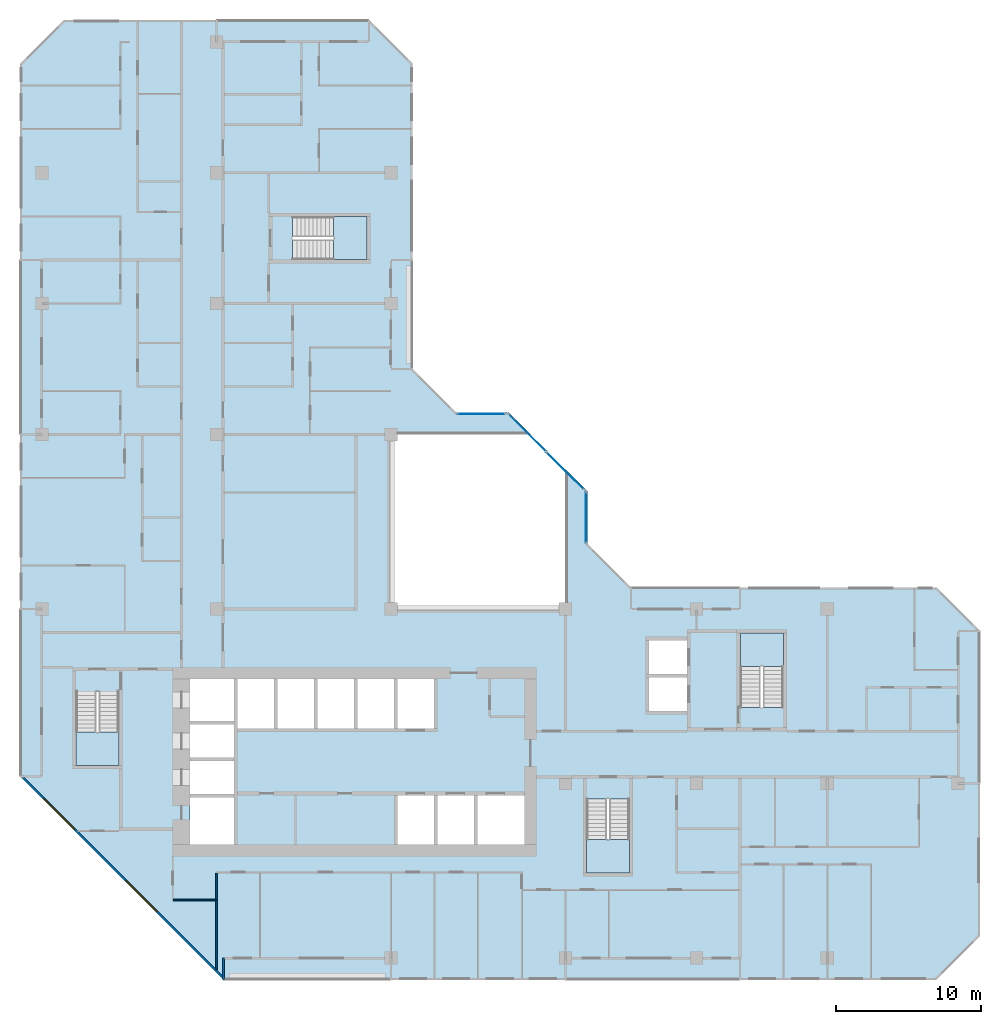
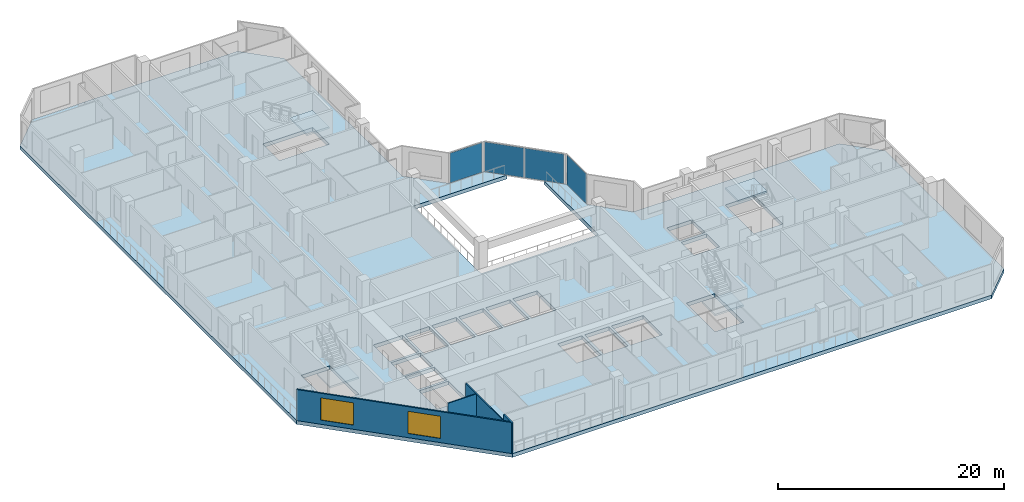
# One storey, part 3 of 15: 5 slabs, 4 plates, 4 walls, 2 windows, 2 openings, 7 elements without a shape of their own.
"""IFC4 building model written with IfcOpenShell, lengths in metres."""

from ifc_helpers import new_model, si_unit, direction, frame, frame_2d, origin, origin_2d, place, context, subcontext, project, spatial, polyline, rectangle, outline, extrude, material, layer, layer_set, type_object, element, fill, aggregate, save


model = new_model("IFC4")

# Units and contexts
model_context = context("Model", 3, precision=1e-05, world=origin(), true_north=direction((0.0, 1.0)))
body_context = subcontext(model_context, "Body", "Model", "MODEL_VIEW")
ifc_project = project(units=[si_unit("LENGTHUNIT", "METRE"), si_unit("AREAUNIT", "SQUARE_METRE"), si_unit("VOLUMEUNIT", "CUBIC_METRE"), si_unit("PLANEANGLEUNIT", "RADIAN"), si_unit("MASSUNIT", "GRAM", prefix="KILO")], contexts=[model_context])

# Site, building, storey
site_placement = place(None, origin())
site = spatial("IfcSite", under=ifc_project, at=site_placement, CompositionType="ELEMENT")
building_placement = place(site_placement, origin())
building = spatial("IfcBuilding", under=site, at=building_placement, Name="Chenar Terraces", CompositionType="ELEMENT")
storey_placement = place(building_placement, frame((0.0, 0.0, 198.64990234375)))
storey = spatial("IfcBuildingStorey", under=building, at=storey_placement, Name="L46", CompositionType="ELEMENT", Elevation=198.64990234375)

# Curtain wall, plate
ifc_material_1 = material(Name="Aluminium framed glazing", Category="aluminium")
ifc_layer_1 = layer(ifc_material_1, 0.14990234375)
ifc_layer_set_1 = layer_set([ifc_layer_1], Name="Aluminium framed glazing")
curtain_wall_type = type_object("IfcCurtainWallType", Name="Atrium mid-zone curtain wall", PredefinedType="NOTDEFINED", material=ifc_layer_set_1)
placement_1 = place(storey_placement, origin())
curtain_wall_1 = element("IfcCurtainWall", 1, at=placement_1, inside=storey, type_object=curtain_wall_type, Name="Atrium mid-zone curtain wall", PredefinedType="NOTDEFINED")
ifc_material_2 = material(Name="Low emissivity laminated glass, solar control coating", Category="glass")
ifc_layer_2 = layer(ifc_material_2, 0.031982421875)
ifc_layer_set_2 = layer_set([ifc_layer_2], Name="Low emissivity laminated glass, solar control coating")
plate_type = type_object("IfcPlateType", Name="Atrium mid-zone glazing panel 32", PredefinedType="CURTAIN_PANEL", material=ifc_layer_set_2)
plate_1_placement = place(storey_placement, frame((37.425048828125, 30.300048828125, 0.070068359375), z_axis=(0.0, 0.0, 1.0), x_axis=(0.0, 1.0, 0.0)))
plate_1 = element("IfcPlate", 2, at=plate_1_placement, type_object=plate_type, Name="CW7-1 panel 1.1", PredefinedType="CURTAIN_PANEL", context=body_context, shape_type="SweptSolid", body=[
    extrude(rectangle(XDim=3.4599609375, YDim=0.031982421875, at=origin_2d()), origin(), (0.0, 0.0, 1.0), 3.2099609375),
])
aggregate(curtain_wall_1, [plate_1])

# Curtain wall, plates
curtain_wall_2 = element("IfcCurtainWall", 3, at=placement_1, inside=storey, type_object=curtain_wall_type, Name="Atrium mid-zone curtain wall", PredefinedType="NOTDEFINED")
plate_2_placement = place(storey_placement, frame((35.978515625, 33.515380859375, 0.070068359375), z_axis=(0.0, 0.0, 1.0), x_axis=(-0.707106781187, 0.707106781187, 0.0)))
plate_2 = element("IfcPlate", 4, at=plate_2_placement, type_object=plate_type, Name="CW7-2 panel 1.1", PredefinedType="CURTAIN_PANEL", context=body_context, shape_type="SweptSolid", body=[
    extrude(rectangle(XDim=3.61328125, YDim=0.031982421875, at=origin_2d()), origin(), (0.0, 0.0, 1.0), 3.2099609375),
])
plate_3_placement = place(storey_placement, frame((33.3740234375, 36.119873046875, 0.070068359375), z_axis=(0.0, 0.0, 1.0), x_axis=(-0.707106781187, 0.707106781187, 0.0)))
plate_3 = element("IfcPlate", 5, at=plate_3_placement, type_object=plate_type, Name="CW7-2 panel 2.1", PredefinedType="CURTAIN_PANEL", context=body_context, shape_type="SweptSolid", body=[
    extrude(rectangle(XDim=3.61328125, YDim=0.031982421875, at=origin_2d()), origin(), (0.0, 0.0, 1.0), 3.2099609375),
])
aggregate(curtain_wall_2, [plate_2, plate_3])

# Curtain wall, plate
curtain_wall_3 = element("IfcCurtainWall", 6, at=placement_1, inside=storey, type_object=curtain_wall_type, Name="Atrium mid-zone curtain wall", PredefinedType="NOTDEFINED")
plate_4_placement = place(storey_placement, frame((30.199951171875, 37.425048828125, 0.070068359375), z_axis=(0.0, 0.0, 1.0), x_axis=(-1.0, 0.0, 0.0)))
plate_4 = element("IfcPlate", 7, at=plate_4_placement, type_object=plate_type, Name="CW7-3 panel 1.1", PredefinedType="CURTAIN_PANEL", context=body_context, shape_type="SweptSolid", body=[
    extrude(rectangle(XDim=3.260009765625, YDim=0.031982421875, at=origin_2d()), origin(), (0.0, 0.0, 1.0), 3.2099609375),
])
aggregate(curtain_wall_3, [plate_4])

# Stair, slab
ifc_material_3 = material(Name="Reinforced concrete C40/50", Category="concrete")
stair_type = type_object("IfcStairType", Name="Core stair 1400 half-turn", PredefinedType="HALF_TURN_STAIR", material=ifc_material_3)
stair_1 = element("IfcStair", 8, at=placement_1, inside=storey, type_object=stair_type, Name="L46 Stair 1", PredefinedType="HALF_TURN_STAIR")
ifc_material_4 = material(Name="Reinforced concrete C40/50", Category="concrete")
ifc_layer_3 = layer(ifc_material_4, 0.199951171875)
ifc_layer_set_3 = layer_set([ifc_layer_3], Name="Reinforced concrete C40/50")
slab_type_1 = type_object("IfcSlabType", Name="Core stair landing 200", PredefinedType="LANDING", material=ifc_layer_set_3)
placement_2 = place(storey_placement, frame((0.0, 0.0, 1.675048828125)))
slab_1 = element("IfcSlab", 9, at=placement_2, type_object=slab_type_1, Name="ST1 landing 1", PredefinedType="LANDING", context=body_context, shape_type="SweptSolid", body=[
    extrude(outline(polyline([(2.35009765625, 15.550048828125), (2.35009765625, 13.25), (5.300048828125, 13.25), (5.300048828125, 15.550048828125), (2.35009765625, 15.550048828125)])), origin(), (0.0, 0.0, 1.0), 0.199951171875),
])
aggregate(stair_1, [slab_1])

stair_2 = element("IfcStair", 10, at=placement_1, inside=storey, type_object=stair_type, Name="L46 Stair 2", PredefinedType="HALF_TURN_STAIR")
slab_2 = element("IfcSlab", 11, at=placement_2, type_object=slab_type_1, Name="ST2 landing 1", PredefinedType="LANDING", context=body_context, shape_type="SweptSolid", body=[
    extrude(outline(polyline([(37.449951171875, 8.14990234375), (37.449951171875, 5.85009765625), (40.39990234375, 5.85009765625), (40.39990234375, 8.14990234375), (37.449951171875, 8.14990234375)])), origin(), (0.0, 0.0, 1.0), 0.199951171875),
])
aggregate(stair_2, [slab_2])

stair_3 = element("IfcStair", 12, at=placement_1, inside=storey, type_object=stair_type, Name="L46 Stair 3", PredefinedType="HALF_TURN_STAIR")
slab_3 = element("IfcSlab", 13, at=placement_2, type_object=slab_type_1, Name="ST3 landing 1", PredefinedType="LANDING", context=body_context, shape_type="SweptSolid", body=[
    extrude(outline(polyline([(50.97509765625, 20.050048828125), (50.97509765625, 22.35009765625), (48.02490234375, 22.35009765625), (48.02490234375, 20.050048828125), (50.97509765625, 20.050048828125)])), origin(), (0.0, 0.0, 1.0), 0.199951171875),
])
aggregate(stair_3, [slab_3])

stair_4 = element("IfcStair", 14, at=placement_1, inside=storey, type_object=stair_type, Name="L46 Stair 4", PredefinedType="HALF_TURN_STAIR")
slab_4 = element("IfcSlab", 15, at=placement_2, type_object=slab_type_1, Name="ST4 landing 1", PredefinedType="LANDING", context=body_context, shape_type="SweptSolid", body=[
    extrude(outline(polyline([(20.050048828125, 48.02490234375), (22.35009765625, 48.02490234375), (22.35009765625, 50.97509765625), (20.050048828125, 50.97509765625), (20.050048828125, 48.02490234375)])), origin(), (0.0, 0.0, 1.0), 0.199951171875),
])
aggregate(stair_4, [slab_4])

# Slab
ifc_material_5 = material(Name="Concrete C40/50", Category="concrete")
ifc_layer_4 = layer(ifc_material_5, 0.39990234375)
ifc_layer_set_4 = layer_set([ifc_layer_4], Name="Concrete C40/50")
slab_type_2 = type_object("IfcSlabType", Name="Floor slab 400 Concrete C40/50", PredefinedType="FLOOR", material=ifc_layer_set_4)
slab_5_placement = place(storey_placement, frame((0.0, 0.0, -0.39990234375)))
element("IfcSlab", 16, at=slab_5_placement, inside=storey, type_object=slab_type_2, Name="Floor slab L46", PredefinedType="FLOOR", context=body_context, shape_type="SweptSolid", body=[
    extrude(outline(polyline([(64.5, 22.5), (64.5, 1.5), (61.5, -1.5), (12.5, -1.5), (-1.5, 12.5), (-1.5, 61.5), (1.5, 64.5), (22.5, 64.5), (25.5, 61.5), (25.5, 40.5), (28.5, 37.5), (32.10009765625, 37.5), (33.60009765625, 36.0), (24.0, 36.0), (24.0, 24.0), (36.0, 24.0), (36.0, 33.60009765625), (37.5, 32.10009765625), (37.5, 28.5), (40.5, 25.5), (61.5, 25.5), (64.5, 22.5)]), holes=[polyline([(13.199951171875, 11.050048828125), (10.199951171875, 11.050048828125), (10.199951171875, 7.800048828125), (13.199951171875, 7.800048828125), (13.199951171875, 11.050048828125)]), polyline([(13.199951171875, 13.550048828125), (10.199951171875, 13.550048828125), (10.199951171875, 11.300048828125), (13.199951171875, 11.300048828125), (13.199951171875, 13.550048828125)]), polyline([(13.199951171875, 16.050048828125), (10.199951171875, 16.050048828125), (10.199951171875, 13.800048828125), (13.199951171875, 13.800048828125), (13.199951171875, 16.050048828125)]), polyline([(2.35009765625, 13.25), (5.300048828125, 13.25), (5.300048828125, 18.35009765625), (2.35009765625, 18.35009765625), (2.35009765625, 13.25)]), polyline([(15.949951171875, 19.199951171875), (13.449951171875, 19.199951171875), (13.449951171875, 15.800048828125), (15.949951171875, 15.800048828125), (15.949951171875, 19.199951171875)]), polyline([(18.699951171875, 19.199951171875), (16.199951171875, 19.199951171875), (16.199951171875, 15.800048828125), (18.699951171875, 15.800048828125), (18.699951171875, 19.199951171875)]), polyline([(21.449951171875, 19.199951171875), (18.949951171875, 19.199951171875), (18.949951171875, 15.800048828125), (21.449951171875, 15.800048828125), (21.449951171875, 19.199951171875)]), polyline([(24.199951171875, 15.800048828125), (24.199951171875, 19.199951171875), (21.699951171875, 19.199951171875), (21.699951171875, 15.800048828125), (24.199951171875, 15.800048828125)]), polyline([(13.199951171875, 16.300048828125), (13.199951171875, 19.199951171875), (10.199951171875, 19.199951171875), (10.199951171875, 16.300048828125), (13.199951171875, 16.300048828125)]), polyline([(22.35009765625, 48.02490234375), (22.35009765625, 50.97509765625), (17.25, 50.97509765625), (17.25, 48.02490234375), (22.35009765625, 48.02490234375)]), polyline([(37.449951171875, 5.85009765625), (40.39990234375, 5.85009765625), (40.39990234375, 10.949951171875), (37.449951171875, 10.949951171875), (37.449951171875, 5.85009765625)]), polyline([(26.949951171875, 11.199951171875), (24.449951171875, 11.199951171875), (24.449951171875, 7.800048828125), (26.949951171875, 7.800048828125), (26.949951171875, 11.199951171875)]), polyline([(29.699951171875, 7.800048828125), (29.699951171875, 11.199951171875), (27.199951171875, 11.199951171875), (27.199951171875, 7.800048828125), (29.699951171875, 7.800048828125)]), polyline([(33.199951171875, 7.800048828125), (33.199951171875, 11.199951171875), (29.949951171875, 11.199951171875), (29.949951171875, 7.800048828125), (33.199951171875, 7.800048828125)]), polyline([(26.949951171875, 19.199951171875), (24.449951171875, 19.199951171875), (24.449951171875, 15.800048828125), (26.949951171875, 15.800048828125), (26.949951171875, 19.199951171875)]), polyline([(44.35009765625, 19.300048828125), (41.75, 19.300048828125), (41.75, 17.0), (44.35009765625, 17.0), (44.35009765625, 19.300048828125)]), polyline([(50.97509765625, 22.35009765625), (48.02490234375, 22.35009765625), (48.02490234375, 17.25), (50.97509765625, 17.25), (50.97509765625, 22.35009765625)]), polyline([(44.35009765625, 19.550048828125), (44.35009765625, 21.85009765625), (41.75, 21.85009765625), (41.75, 19.550048828125), (44.35009765625, 19.550048828125)])]), origin(), (0.0, 0.0, 1.0), 0.39990234375),
])

# Walls
ifc_material_6 = material(Name="Gypsum board on steel studs", Category="steel")
ifc_layer_5 = layer(ifc_material_6, 0.10009765625)
ifc_layer_set_5 = layer_set([ifc_layer_5], Name="Gypsum board on steel studs")
wall_type_1 = type_object("IfcWallType", Name="Gypsum partition 100", PredefinedType="PARTITIONING", material=ifc_layer_set_5)
wall_1_placement = place(storey_placement, frame((9.050048828125, 4.0, 0.0), z_axis=(0.0, 0.0, 1.0), x_axis=(1.0, 0.0, 0.0)))
element("IfcWall", 17, at=wall_1_placement, inside=storey, type_object=wall_type_1, Name="Partition L46-032", PredefinedType="PARTITIONING", context=body_context, shape_type="SweptSolid", body=[
    extrude(rectangle(XDim=2.89990234375, YDim=0.10009765625, at=frame_2d((1.449951171875, 0.0))), origin(), (0.0, 0.0, 1.0), 3.35009765625),
])
wall_2_placement = place(storey_placement, frame((12.0, -0.787841796875, 0.0), z_axis=(0.0, 0.0, 1.0), x_axis=(0.0, 1.0, 0.0)))
element("IfcWall", 18, at=wall_2_placement, inside=storey, type_object=wall_type_1, Name="Partition L46-035", PredefinedType="PARTITIONING", context=body_context, shape_type="SweptSolid", body=[
    extrude(rectangle(XDim=6.637939453125, YDim=0.10009765625, at=frame_2d((3.31884765625, 0.0))), origin(), (0.0, 0.0, 1.0), 3.35009765625),
])
ifc_material_7 = material(Name="Terracotta cladding on insulated backing", Category="masonry")
ifc_layer_6 = layer(ifc_material_7, 0.14990234375)
ifc_layer_set_6 = layer_set([ifc_layer_6], Name="Terracotta cladding on insulated backing")
wall_type_2 = type_object("IfcWallType", Name="Loggia return wall 150", PredefinedType="SOLIDWALL", material=ifc_layer_set_6)
wall_3_placement = place(storey_placement, frame((12.5, -1.5, 0.0), z_axis=(0.0, 0.0, 1.0), x_axis=(0.0, 1.0, 0.0)))
element("IfcWall", 19, at=wall_3_placement, inside=storey, type_object=wall_type_2, Name="Loggia return wall", PredefinedType="SOLIDWALL", context=body_context, shape_type="SweptSolid", body=[
    extrude(rectangle(XDim=1.5, YDim=0.14990234375, at=frame_2d((0.75, 0.0))), origin(), (0.0, 0.0, 1.0), 3.35009765625),
])

# Wall, openings, windows
ifc_material_8 = material(Name="Terracotta cladding on insulated backing", Category="masonry")
ifc_layer_7 = layer(ifc_material_8, 0.14990234375)
ifc_layer_set_7 = layer_set([ifc_layer_7], Name="Terracotta cladding on insulated backing")
wall_type_3 = type_object("IfcWallType", Name="Terracotta rainscreen wall 150", PredefinedType="SOLIDWALL", material=ifc_layer_set_7)
wall_4_placement = place(storey_placement, frame((-1.447021484375, 12.552978515625, 0.0), z_axis=(0.0, 0.0, 1.0), x_axis=(0.707106781187, -0.707106781187, 0.0)))
wall_4 = element("IfcWall", 20, at=wall_4_placement, inside=storey, type_object=wall_type_3, Name="Terracotta rainscreen wall", PredefinedType="SOLIDWALL", context=body_context, shape_type="SweptSolid", body=[
    extrude(rectangle(XDim=19.799072265625, YDim=0.14990234375, at=frame_2d((9.8994140625, 0.0))), origin(), (0.0, 0.0, 1.0), 3.35009765625),
])
opening_1_placement = place(wall_4_placement, frame((2.21240234375, 0.0, 0.449951171875)))
opening_1 = element("IfcOpeningElement", 21, at=opening_1_placement, cuts=wall_4, Name="Opening W300x240", PredefinedType="OPENING", context=body_context, shape_type="SweptSolid", body=[
    extrude(rectangle(XDim=3.0, YDim=2.39990234375, at=frame_2d((1.5, 1.199951171875))), frame((0.0, 0.0849609375, 0.0), z_axis=(0.0, -1.0, 0.0), x_axis=(1.0, 0.0, 0.0)), (0.0, 0.0, 1.0), 0.169921875),
])
opening_2_placement = place(wall_4_placement, frame((10.215576171875, 0.0, 0.449951171875)))
opening_2 = element("IfcOpeningElement", 22, at=opening_2_placement, cuts=wall_4, Name="Opening W300x240", PredefinedType="OPENING", context=body_context, shape_type="SweptSolid", body=[
    extrude(rectangle(XDim=3.0, YDim=2.39990234375, at=frame_2d((1.5, 1.199951171875))), frame((0.0, 0.0849609375, 0.0), z_axis=(0.0, -1.0, 0.0), x_axis=(1.0, 0.0, 0.0)), (0.0, 0.0, 1.0), 0.169921875),
])
ifc_material_9 = material(Name="Low emissivity double glazing, aluminium frame", Category="aluminium")
window_type = type_object("IfcWindowType", Name="Fixed light 3000 x 2400", PartitioningType="SINGLE_PANEL", PredefinedType="WINDOW", material=ifc_material_9)
window_1_placement = place(opening_1_placement, origin())
window_1 = element("IfcWindow", 23, at=window_1_placement, inside=storey, type_object=window_type, Name="Window", OverallHeight=2.39990234375, OverallWidth=3.0, PartitioningType="SINGLE_PANEL", PredefinedType="WINDOW", context=body_context, shape_type="SweptSolid", body=[
    extrude(rectangle(XDim=3.0, YDim=2.39990234375, at=frame_2d((1.5, 1.199951171875))), frame((0.0, 0.030029296875, 0.0), z_axis=(0.0, -1.0, 0.0), x_axis=(1.0, 0.0, 0.0)), (0.0, 0.0, 1.0), 0.06005859375),
])
fill(opening_1, window_1)
window_2_placement = place(opening_2_placement, origin())
window_2 = element("IfcWindow", 24, at=window_2_placement, inside=storey, type_object=window_type, Name="Window", OverallHeight=2.39990234375, OverallWidth=3.0, PartitioningType="SINGLE_PANEL", PredefinedType="WINDOW", context=body_context, shape_type="SweptSolid", body=[
    extrude(rectangle(XDim=3.0, YDim=2.39990234375, at=frame_2d((1.5, 1.199951171875))), frame((0.0, 0.030029296875, 0.0), z_axis=(0.0, -1.0, 0.0), x_axis=(1.0, 0.0, 0.0)), (0.0, 0.0, 1.0), 0.06005859375),
])
fill(opening_2, window_2)

save(model, "model.ifc")
